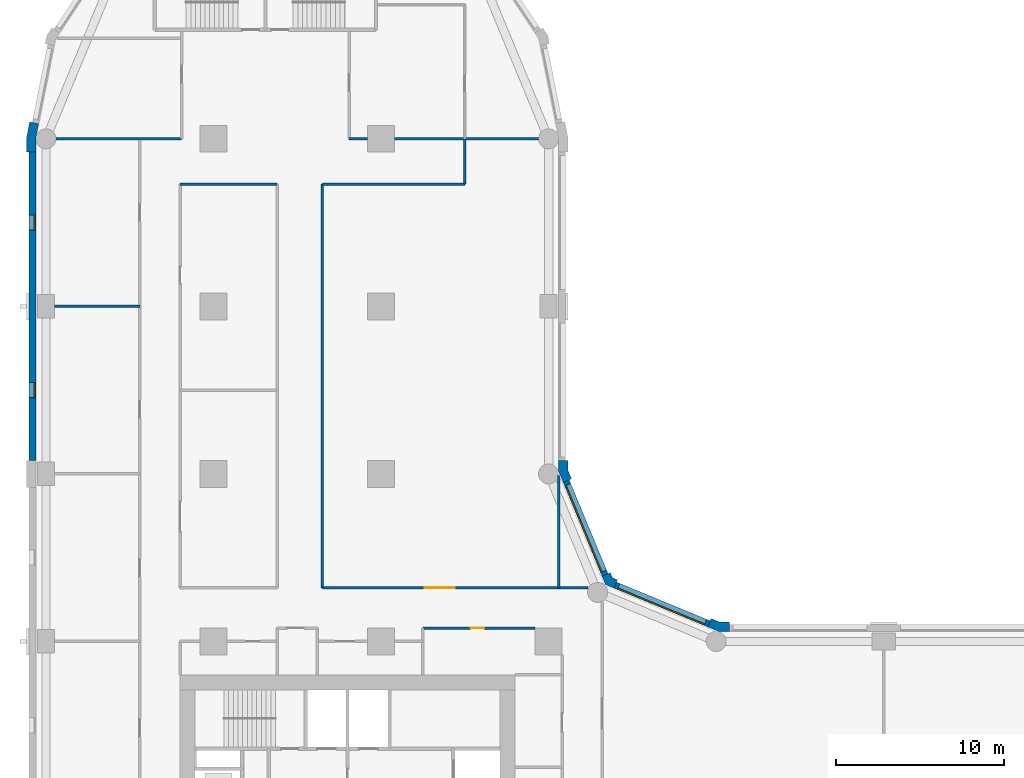
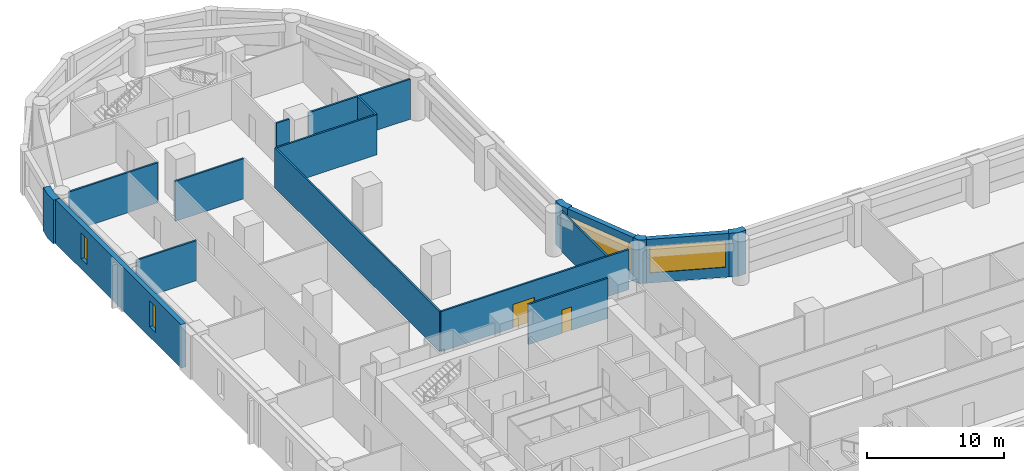
# One storey, part 6 of 11: 18 walls, 4 windows, 2 doors, 6 openings.
"""IFC4 building model written with IfcOpenShell, lengths in metres."""

from ifc_helpers import new_model, si_unit, direction, frame, frame_2d, origin, place, context, subcontext, project, spatial, polyline, rectangle, outline, extrude, material, layer, layer_set, type_object, element, fill, save


model = new_model("IFC4")

# Units and contexts
model_context = context("Model", 3, precision=1e-05, world=origin(), true_north=direction((0.0, 1.0)))
body_context = subcontext(model_context, "Body", "Model", "MODEL_VIEW")
ifc_project = project(units=[si_unit("LENGTHUNIT", "METRE"), si_unit("AREAUNIT", "SQUARE_METRE"), si_unit("VOLUMEUNIT", "CUBIC_METRE"), si_unit("PLANEANGLEUNIT", "RADIAN"), si_unit("MASSUNIT", "GRAM", prefix="KILO")], contexts=[model_context])

# Site, building, storey
site_placement = place(None, origin())
site = spatial("IfcSite", under=ifc_project, at=site_placement, CompositionType="ELEMENT")
building_placement = place(site_placement, origin())
building = spatial("IfcBuilding", under=site, at=building_placement, Name="Qaws Garden Tower", CompositionType="ELEMENT")
storey_placement = place(building_placement, frame((0.0, 0.0, 23.699951171875)))
storey = spatial("IfcBuildingStorey", under=building, at=storey_placement, Name="L05", CompositionType="ELEMENT", Elevation=23.699951171875)

# Wall, opening, window
ifc_material_1 = material(Name="Clay facing brick masonry", Category="masonry")
ifc_layer_1 = layer(ifc_material_1, 0.39990234375)
ifc_layer_set_1 = layer_set([ifc_layer_1], Name="Clay facing brick masonry")
wall_type_1 = type_object("IfcWallType", Name="Brick infill wall 400", PredefinedType="SOLIDWALL", material=ifc_layer_set_1)
wall_1_placement = place(storey_placement, frame((39.56689453125, 31.04541015625, 0.0), z_axis=(0.0, 0.0, 1.0), x_axis=(-0.923891000409, 0.382655745237, 0.0)))
wall_1 = element("IfcWall", 1, at=wall_1_placement, inside=storey, type_object=wall_type_1, Name="E-L05-infill-11", PredefinedType="SOLIDWALL", context=body_context, shape_type="SweptSolid", body=[
    extrude(rectangle(XDim=6.053466796875, YDim=0.39990234375, at=frame_2d((3.02685546875, 0.0))), origin(), (0.0, 0.0, 1.0), 3.900146484375),
])
opening_1_placement = place(wall_1_placement, frame((0.226806640625, 0.0, 0.89990234375)))
opening_1 = element("IfcOpeningElement", 2, at=opening_1_placement, cuts=wall_1, Name="Opening W04", PredefinedType="OPENING", context=body_context, shape_type="SweptSolid", body=[
    extrude(rectangle(XDim=5.60009765625, YDim=2.35009765625, at=frame_2d((2.800048828125, 1.175048828125))), frame((0.0, 0.2099609375, 0.0), z_axis=(0.0, -1.0, 0.0), x_axis=(1.0, 0.0, 0.0)), (0.0, 0.0, 1.0), 0.419921875),
])
ifc_material_2 = material(Name="Aluminium framed window, clear glazing", Category="aluminium")
window_type_1 = type_object("IfcWindowType", Name="Ribbon window 5600 x 2350", PartitioningType="DOUBLE_PANEL_VERTICAL", PredefinedType="WINDOW", material=ifc_material_2)
window_1_placement = place(opening_1_placement, origin())
window_1 = element("IfcWindow", 3, at=window_1_placement, inside=storey, type_object=window_type_1, Name="E-L05-window-11-0", OverallHeight=2.35009765625, OverallWidth=5.60009765625, PartitioningType="SINGLE_PANEL", PredefinedType="WINDOW", context=body_context, shape_type="SweptSolid", body=[
    extrude(rectangle(XDim=5.60009765625, YDim=2.35009765625, at=frame_2d((2.800048828125, 1.175048828125))), frame((0.0, 0.159912109375, 0.0), z_axis=(0.0, -1.0, 0.0), x_axis=(1.0, 0.0, 0.0)), (0.0, 0.0, 1.0), 0.06005859375),
])
fill(opening_1, window_1)

wall_2_placement = place(storey_placement, frame((33.36181640625, 33.97412109375, 0.0), z_axis=(0.0, 0.0, 1.0), x_axis=(-0.382655745237, 0.923891000409, 0.0)))
wall_2 = element("IfcWall", 4, at=wall_2_placement, inside=storey, type_object=wall_type_1, Name="E-L05-infill-12", PredefinedType="SOLIDWALL", context=body_context, shape_type="SweptSolid", body=[
    extrude(rectangle(XDim=6.053466796875, YDim=0.39990234375, at=frame_2d((3.02685546875, 0.0))), origin(), (0.0, 0.0, 1.0), 3.900146484375),
])
opening_2_placement = place(wall_2_placement, frame((0.226806640625, 0.0, 0.89990234375)))
opening_2 = element("IfcOpeningElement", 5, at=opening_2_placement, cuts=wall_2, Name="Opening W04", PredefinedType="OPENING", context=body_context, shape_type="SweptSolid", body=[
    extrude(rectangle(XDim=5.60009765625, YDim=2.35009765625, at=frame_2d((2.800048828125, 1.175048828125))), frame((0.0, 0.2099609375, 0.0), z_axis=(0.0, -1.0, 0.0), x_axis=(1.0, 0.0, 0.0)), (0.0, 0.0, 1.0), 0.419921875),
])
window_2_placement = place(opening_2_placement, origin())
window_2 = element("IfcWindow", 6, at=window_2_placement, inside=storey, type_object=window_type_1, Name="E-L05-window-12-0", OverallHeight=2.35009765625, OverallWidth=5.60009765625, PartitioningType="SINGLE_PANEL", PredefinedType="WINDOW", context=body_context, shape_type="SweptSolid", body=[
    extrude(rectangle(XDim=5.60009765625, YDim=2.35009765625, at=frame_2d((2.800048828125, 1.175048828125))), frame((0.0, 0.159912109375, 0.0), z_axis=(0.0, -1.0, 0.0), x_axis=(1.0, 0.0, 0.0)), (0.0, 0.0, 1.0), 0.06005859375),
])
fill(opening_2, window_2)

# Wall, openings, windows
wall_3_placement = place(storey_placement, frame((-0.800048828125, 59.199951171875, 0.0), z_axis=(0.0, 0.0, 1.0), x_axis=(0.0, -1.0, 0.0)))
wall_3 = element("IfcWall", 7, at=wall_3_placement, inside=storey, type_object=wall_type_1, Name="E-L05-infill-23", PredefinedType="SOLIDWALL", context=body_context, shape_type="SweptSolid", body=[
    extrude(rectangle(XDim=18.39990234375, YDim=0.39990234375, at=frame_2d((9.199951171875, 0.0))), origin(), (0.0, 0.0, 1.0), 3.900146484375),
])
opening_3_placement = place(wall_3_placement, frame((3.75, 0.0, 0.89990234375)))
opening_3 = element("IfcOpeningElement", 8, at=opening_3_placement, cuts=wall_3, Name="Opening W09", PredefinedType="OPENING", context=body_context, shape_type="SweptSolid", body=[
    extrude(rectangle(XDim=0.89990234375, YDim=2.35009765625, at=frame_2d((0.449951171875, 1.175048828125))), frame((0.0, 0.2099609375, 0.0), z_axis=(0.0, -1.0, 0.0), x_axis=(1.0, 0.0, 0.0)), (0.0, 0.0, 1.0), 0.419921875),
])
opening_4_placement = place(wall_3_placement, frame((13.75, 0.0, 0.89990234375)))
opening_4 = element("IfcOpeningElement", 9, at=opening_4_placement, cuts=wall_3, Name="Opening W09", PredefinedType="OPENING", context=body_context, shape_type="SweptSolid", body=[
    extrude(rectangle(XDim=0.89990234375, YDim=2.35009765625, at=frame_2d((0.449951171875, 1.175048828125))), frame((0.0, 0.2099609375, 0.0), z_axis=(0.0, -1.0, 0.0), x_axis=(1.0, 0.0, 0.0)), (0.0, 0.0, 1.0), 0.419921875),
])
ifc_material_3 = material(Name="Aluminium framed window, clear glazing", Category="aluminium")
window_type_2 = type_object("IfcWindowType", Name="Slit window 900 x 2350", PartitioningType="SINGLE_PANEL", PredefinedType="WINDOW", material=ifc_material_3)
window_3_placement = place(opening_3_placement, origin())
window_3 = element("IfcWindow", 10, at=window_3_placement, inside=storey, type_object=window_type_2, Name="E-L05-window-23-0", OverallHeight=2.35009765625, OverallWidth=0.89990234375, PartitioningType="SINGLE_PANEL", PredefinedType="WINDOW", context=body_context, shape_type="SweptSolid", body=[
    extrude(rectangle(XDim=0.89990234375, YDim=2.35009765625, at=frame_2d((0.449951171875, 1.175048828125))), frame((0.0, 0.159912109375, 0.0), z_axis=(0.0, -1.0, 0.0), x_axis=(1.0, 0.0, 0.0)), (0.0, 0.0, 1.0), 0.06005859375),
])
fill(opening_3, window_3)
window_4_placement = place(opening_4_placement, origin())
window_4 = element("IfcWindow", 11, at=window_4_placement, inside=storey, type_object=window_type_2, Name="E-L05-window-24-0", OverallHeight=2.35009765625, OverallWidth=0.89990234375, PartitioningType="SINGLE_PANEL", PredefinedType="WINDOW", context=body_context, shape_type="SweptSolid", body=[
    extrude(rectangle(XDim=0.89990234375, YDim=2.35009765625, at=frame_2d((0.449951171875, 1.175048828125))), frame((0.0, 0.159912109375, 0.0), z_axis=(0.0, -1.0, 0.0), x_axis=(1.0, 0.0, 0.0)), (0.0, 0.0, 1.0), 0.06005859375),
])
fill(opening_4, window_4)

# Walls
ifc_material_4 = material(Name="Clay facing brick masonry", Category="masonry")
ifc_layer_2 = layer(ifc_material_4, 0.550048828125)
ifc_layer_set_2 = layer_set([ifc_layer_2], Name="Clay facing brick masonry")
wall_type_2 = type_object("IfcWallType", Name="Brick pier 550 x 1600", PredefinedType="SOLIDWALL", material=ifc_layer_set_2)
placement = place(storey_placement, origin())
element("IfcWall", 12, at=placement, inside=storey, type_object=wall_type_2, Name="E-L05-pier-11", PredefinedType="SOLIDWALL", context=body_context, shape_type="SweptSolid", body=[
    extrude(outline(polyline([(40.800048828125, 31.0), (40.800048828125, 31.14990234375), (40.228759765625, 31.14990234375), (39.700927734375, 31.36865234375), (39.6435546875, 31.22998046875), (39.490478515625, 30.860595703125), (40.119384765625, 30.60009765625), (40.800048828125, 30.60009765625), (40.800048828125, 31.0)])), origin(), (0.0, 0.0, 1.0), 3.900146484375),
])
element("IfcWall", 13, at=placement, inside=storey, type_object=wall_type_2, Name="E-L05-pier-12", PredefinedType="SOLIDWALL", context=body_context, shape_type="SweptSolid", body=[
    extrude(outline(polyline([(34.05078125, 33.546630859375), (34.108154296875, 33.685302734375), (33.80908203125, 33.80908203125), (33.685302734375, 34.108154296875), (33.546630859375, 34.05078125), (33.177001953125, 33.897705078125), (33.38818359375, 33.38818359375), (33.897705078125, 33.177001953125), (34.05078125, 33.546630859375)])), origin(), (0.0, 0.0, 1.0), 3.900146484375),
])
element("IfcWall", 14, at=placement, inside=storey, type_object=wall_type_2, Name="E-L05-pier-13", PredefinedType="SOLIDWALL", context=body_context, shape_type="SweptSolid", body=[
    extrude(outline(polyline([(31.22998046875, 39.6435546875), (31.36865234375, 39.700927734375), (31.14990234375, 40.228759765625), (31.14990234375, 40.800048828125), (31.0, 40.800048828125), (30.60009765625, 40.800048828125), (30.60009765625, 40.119384765625), (30.860595703125, 39.490478515625), (31.22998046875, 39.6435546875)])), origin(), (0.0, 0.0, 1.0), 3.900146484375),
])
element("IfcWall", 15, at=placement, inside=storey, type_object=wall_type_2, Name="E-L05-pier-23", PredefinedType="SOLIDWALL", context=body_context, shape_type="SweptSolid", body=[
    extrude(outline(polyline([(-0.82470703125, 60.979736328125), (-0.971923828125, 61.009033203125), (-1.14990234375, 60.11328125), (-1.14990234375, 59.199951171875), (-1.0, 59.199951171875), (-0.60009765625, 59.199951171875), (-0.60009765625, 60.05908203125), (-0.432373046875, 60.901611328125), (-0.82470703125, 60.979736328125)])), origin(), (0.0, 0.0, 1.0), 3.900146484375),
])
ifc_material_5 = material(Name="Gypsum board partition")
ifc_layer_3 = layer(ifc_material_5, 0.14990234375)
ifc_layer_set_3 = layer_set([ifc_layer_3], Name="Gypsum board partition")
wall_type_3 = type_object("IfcWallType", Name="PARTITION 150 EI 60", PredefinedType="PARTITIONING", material=ifc_layer_set_3)
wall_8_placement = place(storey_placement, frame((16.5, 33.199951171875, 0.0), z_axis=(0.0, 0.0, 1.0), x_axis=(0.0, 1.0, 0.0)))
element("IfcWall", 16, at=wall_8_placement, inside=storey, type_object=wall_type_3, Name="O-L05-wall-013", PredefinedType="PARTITIONING", context=body_context, shape_type="SweptSolid", body=[
    extrude(rectangle(XDim=24.10009765625, YDim=0.14990234375, at=frame_2d((12.050048828125, 0.0))), origin(), (0.0, 0.0, 1.0), 3.580078125),
])
wall_9_placement = place(storey_placement, frame((25.0, 57.300048828125, 0.0), z_axis=(0.0, 0.0, 1.0), x_axis=(0.0, 1.0, 0.0)))
element("IfcWall", 17, at=wall_9_placement, inside=storey, type_object=wall_type_3, Name="O-L05-wall-017", PredefinedType="PARTITIONING", context=body_context, shape_type="SweptSolid", body=[
    extrude(rectangle(XDim=2.699951171875, YDim=0.14990234375, at=frame_2d((1.35009765625, 0.0))), origin(), (0.0, 0.0, 1.0), 3.580078125),
])
wall_10_placement = place(storey_placement, frame((30.60009765625, 33.199951171875, 0.0), z_axis=(0.0, 0.0, 1.0), x_axis=(0.0, 1.0, 0.0)))
element("IfcWall", 18, at=wall_10_placement, inside=storey, type_object=wall_type_3, Name="O-L05-wall-021", PredefinedType="PARTITIONING", context=body_context, shape_type="SweptSolid", body=[
    extrude(rectangle(XDim=6.698974609375, YDim=0.14990234375, at=frame_2d((3.349609375, 0.0))), origin(), (0.0, 0.0, 1.0), 3.580078125),
])

# Wall, opening, door
wall_11_placement = place(storey_placement, frame((22.5, 30.800048828125, 0.0), z_axis=(0.0, 0.0, 1.0), x_axis=(1.0, 0.0, 0.0)))
wall_11 = element("IfcWall", 19, at=wall_11_placement, inside=storey, type_object=wall_type_3, Name="O-L05-wall-057", PredefinedType="PARTITIONING", context=body_context, shape_type="SweptSolid", body=[
    extrude(rectangle(XDim=6.699951171875, YDim=0.14990234375, at=frame_2d((3.35009765625, 0.0))), origin(), (0.0, 0.0, 1.0), 3.580078125),
])
opening_5_placement = place(wall_11_placement, frame((2.85009765625, 0.0, 0.0)))
opening_5 = element("IfcOpeningElement", 20, at=opening_5_placement, cuts=wall_11, Name="Opening A216", PredefinedType="OPENING", context=body_context, shape_type="SweptSolid", body=[
    extrude(rectangle(XDim=0.800048828125, YDim=2.10009765625, at=frame_2d((0.39990234375, 1.050048828125))), frame((0.0, 0.0849609375, 0.0), z_axis=(0.0, -1.0, 0.0), x_axis=(1.0, 0.0, 0.0)), (0.0, 0.0, 1.0), 0.169921875),
])
ifc_material_6 = material(Name="Timber door leaf", Category="wood")
door_type_1 = type_object("IfcDoorType", Name="STORE DOOR 800 X 2100", OperationType="SINGLE_SWING_LEFT", PredefinedType="DOOR", material=ifc_material_6)
door_1_placement = place(opening_5_placement, frame((0.800048828125, 0.0, 0.0), z_axis=(0.0, 0.0, 1.0), x_axis=(-1.0, 0.0, 0.0)))
door_1 = element("IfcDoor", 21, at=door_1_placement, inside=storey, type_object=door_type_1, Name="O-L05-door-016", OperationType="SINGLE_SWING_LEFT", OverallHeight=2.10009765625, OverallWidth=0.800048828125, PredefinedType="DOOR", context=body_context, shape_type="SweptSolid", body=[
    extrude(rectangle(XDim=0.800048828125, YDim=2.10009765625, at=frame_2d((0.39990234375, 1.050048828125))), frame((0.0, 0.02490234375, 0.0), z_axis=(0.0, -1.0, 0.0), x_axis=(1.0, 0.0, 0.0)), (0.0, 0.0, 1.0), 0.050048828125),
])
fill(opening_5, door_1)

wall_12_placement = place(storey_placement, frame((16.5, 33.199951171875, 0.0), z_axis=(0.0, 0.0, 1.0), x_axis=(1.0, 0.0, 0.0)))
wall_12 = element("IfcWall", 22, at=wall_12_placement, inside=storey, type_object=wall_type_3, Name="O-L05-wall-059", PredefinedType="PARTITIONING", context=body_context, shape_type="SweptSolid", body=[
    extrude(rectangle(XDim=15.862060546875, YDim=0.14990234375, at=frame_2d((7.93115234375, 0.0))), origin(), (0.0, 0.0, 1.0), 3.580078125),
])
opening_6_placement = place(wall_12_placement, frame((6.10009765625, 0.0, 0.0)))
opening_6 = element("IfcOpeningElement", 23, at=opening_6_placement, cuts=wall_12, Name="Opening A219", PredefinedType="OPENING", context=body_context, shape_type="SweptSolid", body=[
    extrude(rectangle(XDim=1.800048828125, YDim=2.10009765625, at=frame_2d((0.89990234375, 1.050048828125))), frame((0.0, 0.0849609375, 0.0), z_axis=(0.0, -1.0, 0.0), x_axis=(1.0, 0.0, 0.0)), (0.0, 0.0, 1.0), 0.169921875),
])
ifc_material_7 = material(Name="Timber door leaf", Category="wood")
door_type_2 = type_object("IfcDoorType", Name="DOUBLE DOOR 1800 X 2100", OperationType="DOUBLE_DOOR_SINGLE_SWING", PredefinedType="DOOR", material=ifc_material_7)
door_2_placement = place(opening_6_placement, origin())
door_2 = element("IfcDoor", 24, at=door_2_placement, inside=storey, type_object=door_type_2, Name="O-L05-door-019", OperationType="DOUBLE_DOOR_SINGLE_SWING", OverallHeight=2.10009765625, OverallWidth=1.800048828125, PredefinedType="DOOR", context=body_context, shape_type="SweptSolid", body=[
    extrude(rectangle(XDim=1.800048828125, YDim=2.10009765625, at=frame_2d((0.89990234375, 1.050048828125))), frame((0.0, 0.02490234375, 0.0), z_axis=(0.0, -1.0, 0.0), x_axis=(1.0, 0.0, 0.0)), (0.0, 0.0, 1.0), 0.050048828125),
])
fill(opening_6, door_2)

# Walls
wall_13_placement = place(storey_placement, frame((0.5, 50.0, 0.0), z_axis=(0.0, 0.0, 1.0), x_axis=(1.0, 0.0, 0.0)))
element("IfcWall", 25, at=wall_13_placement, inside=storey, type_object=wall_type_3, Name="O-L05-wall-062", PredefinedType="PARTITIONING", context=body_context, shape_type="SweptSolid", body=[
    extrude(rectangle(XDim=5.10009765625, YDim=0.14990234375, at=frame_2d((2.550048828125, 0.0))), origin(), (0.0, 0.0, 1.0), 3.580078125),
])
wall_14_placement = place(storey_placement, frame((8.0, 57.300048828125, 0.0), z_axis=(0.0, 0.0, 1.0), x_axis=(1.0, 0.0, 0.0)))
element("IfcWall", 26, at=wall_14_placement, inside=storey, type_object=wall_type_3, Name="O-L05-wall-063", PredefinedType="PARTITIONING", context=body_context, shape_type="SweptSolid", body=[
    extrude(rectangle(XDim=5.800048828125, YDim=0.14990234375, at=frame_2d((2.89990234375, 0.0))), origin(), (0.0, 0.0, 1.0), 3.580078125),
])
wall_15_placement = place(storey_placement, frame((16.5, 57.300048828125, 0.0), z_axis=(0.0, 0.0, 1.0), x_axis=(1.0, 0.0, 0.0)))
element("IfcWall", 27, at=wall_15_placement, inside=storey, type_object=wall_type_3, Name="O-L05-wall-064", PredefinedType="PARTITIONING", context=body_context, shape_type="SweptSolid", body=[
    extrude(rectangle(XDim=8.5, YDim=0.14990234375, at=frame_2d((4.25, 0.0))), origin(), (0.0, 0.0, 1.0), 3.580078125),
])
wall_16_placement = place(storey_placement, frame((0.60009765625, 60.0, 0.0), z_axis=(0.0, 0.0, 1.0), x_axis=(1.0, 0.0, 0.0)))
element("IfcWall", 28, at=wall_16_placement, inside=storey, type_object=wall_type_3, Name="O-L05-wall-065", PredefinedType="PARTITIONING", context=body_context, shape_type="SweptSolid", body=[
    extrude(rectangle(XDim=7.5, YDim=0.14990234375, at=frame_2d((3.75, 0.0))), origin(), (0.0, 0.0, 1.0), 3.580078125),
])
wall_17_placement = place(storey_placement, frame((18.10009765625, 60.0, 0.0), z_axis=(0.0, 0.0, 1.0), x_axis=(1.0, 0.0, 0.0)))
element("IfcWall", 29, at=wall_17_placement, inside=storey, type_object=wall_type_3, Name="O-L05-wall-066", PredefinedType="PARTITIONING", context=body_context, shape_type="SweptSolid", body=[
    extrude(rectangle(XDim=1.099853515625, YDim=0.14990234375, at=frame_2d((0.5498046875, 0.0))), origin(), (0.0, 0.0, 1.0), 3.580078125),
])
wall_18_placement = place(storey_placement, frame((20.800048828125, 60.0, 0.0), z_axis=(0.0, 0.0, 1.0), x_axis=(1.0, 0.0, 0.0)))
element("IfcWall", 30, at=wall_18_placement, inside=storey, type_object=wall_type_3, Name="O-L05-wall-067", PredefinedType="PARTITIONING", context=body_context, shape_type="SweptSolid", body=[
    extrude(rectangle(XDim=8.599853515625, YDim=0.14990234375, at=frame_2d((4.2998046875, 0.0))), origin(), (0.0, 0.0, 1.0), 3.580078125),
])

save(model, "model.ifc")
